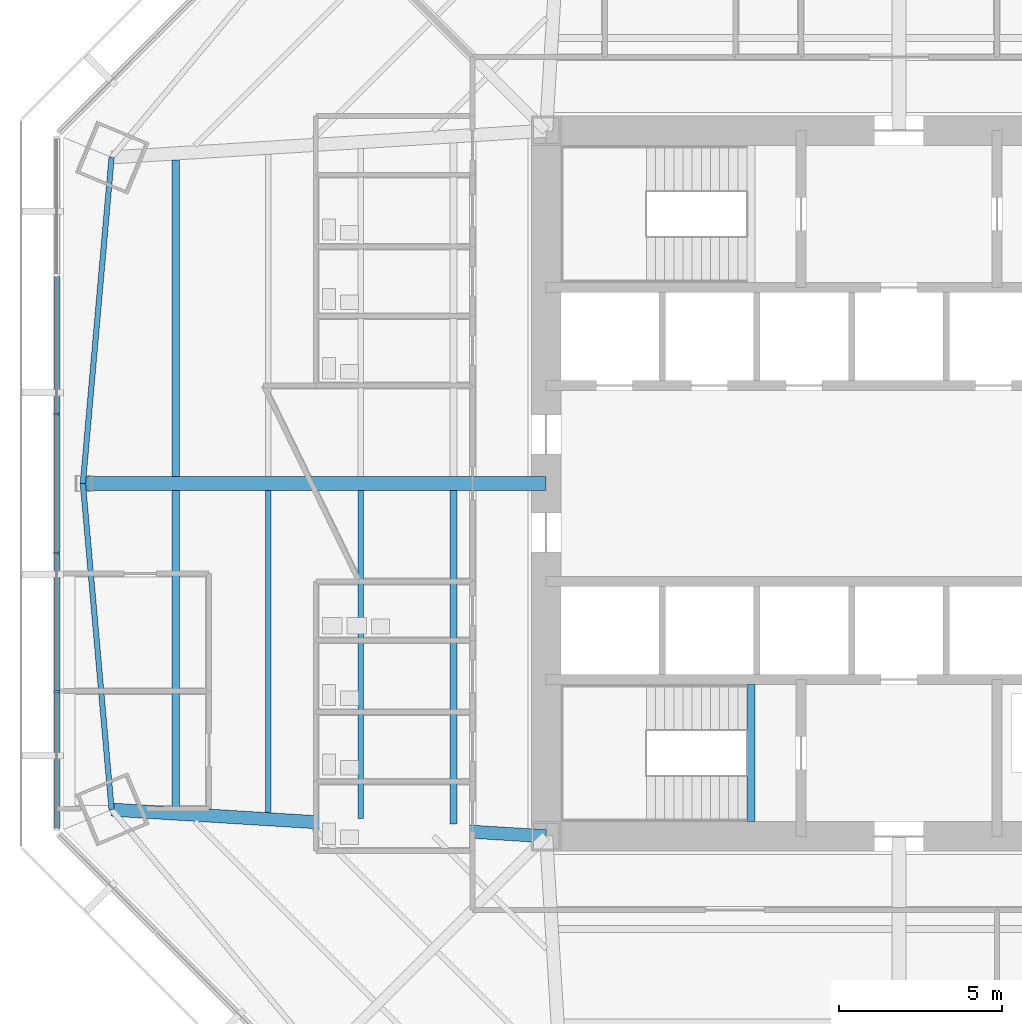
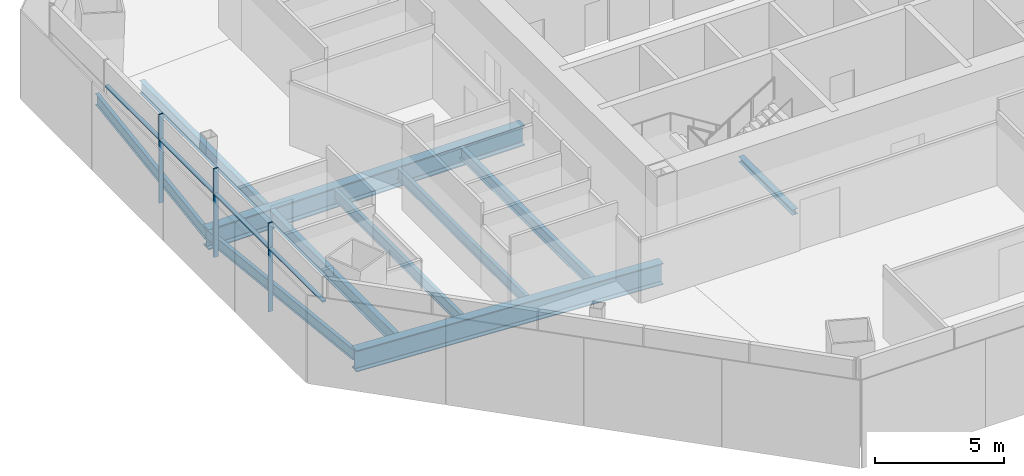
# One storey, part 3 of 16: 10 beams, 7 members, 1 element without a shape of its own.
"""IFC4 building model written with IfcOpenShell, lengths in metres."""

from ifc_helpers import new_model, si_unit, direction, frame, origin, origin_2d, place, context, subcontext, project, spatial, rectangle, i_section, extrude, source, transform, mapped, material, material_profile, profile_set, type_object, type_shapes, element, aggregate, save


model = new_model("IFC4")

# Units and contexts
model_context = context("Model", 3, precision=1e-05, world=origin(), true_north=direction((0.0, 1.0)))
body_context = subcontext(model_context, "Body", "Model", "MODEL_VIEW")
ifc_project = project(units=[si_unit("LENGTHUNIT", "METRE"), si_unit("AREAUNIT", "SQUARE_METRE"), si_unit("VOLUMEUNIT", "CUBIC_METRE"), si_unit("PLANEANGLEUNIT", "RADIAN"), si_unit("MASSUNIT", "GRAM", prefix="KILO")], contexts=[model_context])

# Site, building, storey
site_placement = place(None, origin())
site = spatial("IfcSite", under=ifc_project, at=site_placement, CompositionType="ELEMENT")
building_placement = place(site_placement, origin())
building = spatial("IfcBuilding", under=site, at=building_placement, Name="Mashrafa Tower", CompositionType="ELEMENT")
storey_placement = place(building_placement, frame((0.0, 0.0, 79.199951171875)))
storey = spatial("IfcBuildingStorey", under=building, at=storey_placement, Name="L17", CompositionType="ELEMENT", Elevation=79.199951171875)

# Beams
ifc_material_1 = material(Name="Steel ASTM A992", Category="steel")
ifc_material_profile_1 = material_profile(ifc_material_1, i_section(OverallWidth=0.165771484375, OverallDepth=0.5283203125, WebThickness=0.009765625, FlangeThickness=0.013671875, FilletRadius=0.012939453125, at=origin_2d()), Name="W21X50")
ifc_profile_set_1 = profile_set([ifc_material_profile_1], Name="Steel ASTM A992")
beam_type_1 = type_object("IfcBeamType", Name="Beam W21X50", PredefinedType="BEAM", material=ifc_profile_set_1)
beam_1_placement = place(storey_placement, frame((-19.307373046875, -10.076416015625, -0.42919921875), z_axis=(0.0, 1.0, 0.0), x_axis=(-1.0, 0.0, 0.0)))
element("IfcBeam", 1, at=beam_1_placement, inside=storey, type_object=beam_type_1, Name="Floor beam L17 004", PredefinedType="BEAM", context=body_context, shape_type="SweptSolid", body=[
    extrude(i_section(OverallWidth=0.165771484375, OverallDepth=0.5283203125, WebThickness=0.009765625, FlangeThickness=0.013671875, FilletRadius=0.012939453125, at=origin_2d()), origin(), (0.0, 0.0, 1.0), 9.8642578125),
])
beam_2_placement = place(storey_placement, frame((-16.4716796875, -10.25048828125, -0.42919921875), z_axis=(0.0, 1.0, 0.0), x_axis=(-1.0, 0.0, 0.0)))
element("IfcBeam", 2, at=beam_2_placement, inside=storey, type_object=beam_type_1, Name="Floor beam L17 007", PredefinedType="BEAM", context=body_context, shape_type="SweptSolid", body=[
    extrude(i_section(OverallWidth=0.165771484375, OverallDepth=0.5283203125, WebThickness=0.009765625, FlangeThickness=0.013671875, FilletRadius=0.012939453125, at=origin_2d()), origin(), (0.0, 0.0, 1.0), 10.038330078125),
])
for number, where, z_axis, x_axis, name in (
    (3, (-24.97900390625, 0.0, -0.42919921875), (0.087653494461, -0.996151025151, 0.0), (0.996151025151, 0.087653494461, 0.0), "Spandrel beam L17 073"),
    (4, (-24.1005859375, 9.98291015625, -0.42919921875), (-0.087653494461, -0.996151025151, 0.0), (0.996151025151, -0.087653494461, 0.0), "Spandrel beam L17 075"),
):
    element("IfcBeam", number, at=place(storey_placement, frame(where, z_axis=z_axis, x_axis=x_axis)), inside=storey, type_object=beam_type_1, Name=name, PredefinedType="BEAM", context=body_context, shape_type="SweptSolid", body=[
        extrude(i_section(OverallWidth=0.165771484375, OverallDepth=0.5283203125, WebThickness=0.009765625, FlangeThickness=0.013671875, FilletRadius=0.012939453125, at=origin_2d()), origin(), (0.0, 0.0, 1.0), 10.021484375),
    ])
ifc_material_2 = material(Name="Steel ASTM A992", Category="steel")
ifc_material_profile_2 = material_profile(ifc_material_2, i_section(OverallWidth=0.209228515625, OverallDepth=0.533447265625, WebThickness=0.01025390625, FlangeThickness=0.015625, FilletRadius=0.012939453125, at=origin_2d()), Name="W21X62")
ifc_profile_set_2 = profile_set([ifc_material_profile_2], Name="Steel ASTM A992")
beam_type_2 = type_object("IfcBeamType", Name="Beam W21X62", PredefinedType="BEAM", material=ifc_profile_set_2)
beam_3_placement = place(storey_placement, frame((-13.6357421875, -10.4248046875, -0.431640625), z_axis=(0.0, 1.0, 0.0), x_axis=(-1.0, 0.0, 0.0)))
element("IfcBeam", 5, at=beam_3_placement, inside=storey, type_object=beam_type_2, Name="Floor beam L17 014", PredefinedType="BEAM", context=body_context, shape_type="SweptSolid", body=[
    extrude(i_section(OverallWidth=0.209228515625, OverallDepth=0.533447265625, WebThickness=0.01025390625, FlangeThickness=0.015625, FilletRadius=0.012939453125, at=origin_2d()), origin(), (0.0, 0.0, 1.0), 10.212646484375),
])
ifc_material_3 = material(Name="Steel ASTM A992", Category="steel")
ifc_material_profile_3 = material_profile(ifc_material_3, i_section(OverallWidth=0.227783203125, OverallDepth=0.60205078125, WebThickness=0.010498046875, FlangeThickness=0.014892578125, FilletRadius=0.012939453125, at=origin_2d()), Name="W24X68")
ifc_profile_set_3 = profile_set([ifc_material_profile_3], Name="Steel ASTM A992")
beam_type_3 = type_object("IfcBeamType", Name="Beam W24X68", PredefinedType="BEAM", material=ifc_profile_set_3)
for number, where, z_axis, x_axis, name in (
    (6, (-22.14306640625, -9.902099609375, -0.4658203125), (0.0, 1.0, 0.0), (-1.0, 0.0, 0.0), "Floor beam L17 001"),
    (7, (-22.14306640625, 0.212158203125, -0.4658203125), (0.0, 1.0, 0.0), (-1.0, 0.0, 0.0), "Floor beam L17 002"),
):
    element("IfcBeam", number, at=place(storey_placement, frame(where, z_axis=z_axis, x_axis=x_axis)), inside=storey, type_object=beam_type_3, Name=name, PredefinedType="BEAM", context=body_context, shape_type="SweptSolid", body=[
        extrude(i_section(OverallWidth=0.227783203125, OverallDepth=0.60205078125, WebThickness=0.010498046875, FlangeThickness=0.014892578125, FilletRadius=0.012939453125, at=origin_2d()), origin(), (0.0, 0.0, 1.0), 9.68994140625),
    ])
ifc_material_4 = material(Name="Steel ASTM A992", Category="steel")
ifc_material_profile_4 = material_profile(ifc_material_4, i_section(OverallWidth=0.424072265625, OverallDepth=0.960205078125, WebThickness=0.028564453125, FlangeThickness=0.051025390625, FilletRadius=0.02001953125, at=origin_2d()), Name="W36X361")
ifc_profile_set_4 = profile_set([ifc_material_profile_4], Name="Steel ASTM A992")
beam_type_4 = type_object("IfcBeamType", Name="Beam W36X361", PredefinedType="BEAM", material=ifc_profile_set_4)
beam_4_placement = place(storey_placement, frame((-10.800048828125, 0.0, -0.64501953125), z_axis=(-1.0, 0.0, 0.0), x_axis=(0.0, -1.0, 0.0)))
element("IfcBeam", 8, at=beam_4_placement, inside=storey, type_object=beam_type_4, Name="Radial girder L17 060", PredefinedType="BEAM", context=body_context, shape_type="SweptSolid", body=[
    extrude(i_section(OverallWidth=0.424072265625, OverallDepth=0.960205078125, WebThickness=0.028564453125, FlangeThickness=0.051025390625, FilletRadius=0.02001953125, at=origin_2d()), origin(), (0.0, 0.0, 1.0), 14.178955078125),
])
ifc_material_5 = material(Name="Steel ASTM A992", Category="steel")
ifc_material_profile_5 = material_profile(ifc_material_5, i_section(OverallWidth=0.4013671875, OverallDepth=1.010986328125, WebThickness=0.023681640625, FlangeThickness=0.0419921875, FilletRadius=0.02001953125, at=origin_2d()), Name="W40X297")
ifc_profile_set_5 = profile_set([ifc_material_profile_5], Name="Steel ASTM A992")
beam_type_5 = type_object("IfcBeamType", Name="Beam W40X297", PredefinedType="BEAM", material=ifc_profile_set_5)
beam_5_placement = place(storey_placement, frame((-10.800048828125, -10.800048828125, -0.67041015625), z_axis=(-0.998118102867, 0.061320899618, 0.0), x_axis=(-0.061320899618, -0.998118102867, 0.0)))
element("IfcBeam", 9, at=beam_5_placement, inside=storey, type_object=beam_type_5, Name="Radial girder L17 057", PredefinedType="BEAM", context=body_context, shape_type="SweptSolid", body=[
    extrude(i_section(OverallWidth=0.4013671875, OverallDepth=1.010986328125, WebThickness=0.023681640625, FlangeThickness=0.0419921875, FilletRadius=0.02001953125, at=origin_2d()), origin(), (0.0, 0.0, 1.0), 13.32568359375),
])
ifc_material_6 = material(Name="Steel ASTM A992", Category="steel")
ifc_material_profile_6 = material_profile(ifc_material_6, i_section(OverallWidth=0.25390625, OverallDepth=0.25390625, WebThickness=0.008544921875, FlangeThickness=0.01416015625, FilletRadius=0.010009765625, at=origin_2d()), Name="W10X49")
ifc_profile_set_6 = profile_set([ifc_material_profile_6], Name="Steel ASTM A992")
beam_type_6 = type_object("IfcBeamType", Name="Hoistway beam W10X49", PredefinedType="BEAM", material=ifc_profile_set_6)
beam_6_placement = place(storey_placement, frame((-4.530029296875, -10.35009765625, -0.326904296875), z_axis=(0.0, 1.0, 0.0), x_axis=(-1.0, 0.0, 0.0)))
element("IfcBeam", 10, at=beam_6_placement, inside=storey, type_object=beam_type_6, Name="Stair S3 landing beam L17", PredefinedType="BEAM", context=body_context, shape_type="SweptSolid", body=[
    extrude(i_section(OverallWidth=0.25390625, OverallDepth=0.25390625, WebThickness=0.008544921875, FlangeThickness=0.01416015625, FilletRadius=0.010009765625, at=origin_2d()), origin(), (0.0, 0.0, 1.0), 4.2001953125),
])

# Curtain wall, members
ifc_material_7 = material(Name="Unitised aluminium curtain wall", Category="aluminium")
curtain_wall_type = type_object("IfcCurtainWallType", Name="Office curtain wall, zone 1 CW-A 200 deep", PredefinedType="NOTDEFINED", material=ifc_material_7)
curtain_wall_placement = place(storey_placement, origin())
curtain_wall = element("IfcCurtainWall", 11, at=curtain_wall_placement, inside=storey, type_object=curtain_wall_type, Name="Office curtain wall, zone 1 L17 west", PredefinedType="NOTDEFINED")
ifc_material_8 = material(Name="Extruded aluminium mullion", Category="aluminium")
ifc_material_profile_7 = material_profile(ifc_material_8, rectangle(XDim=0.199951171875, YDim=0.06494140625, at=origin_2d()), Name="Mullion 65x200")
ifc_profile_set_7 = profile_set([ifc_material_profile_7], Name="Extruded aluminium mullion")
member_type_1 = type_object("IfcMemberType", Name="Mullion CW-A 65 x 200", PredefinedType="MULLION", material=ifc_profile_set_7)
shared_shape_1 = source(origin(), body_context, "Body", "SweptSolid", [
    extrude(rectangle(XDim=0.199951171875, YDim=0.06494140625, at=origin_2d()), origin(), (0.0, 0.0, 1.0), 4.199951171875),
])
type_shapes(member_type_1, [shared_shape_1])
member_1_placement = place(storey_placement, frame((-25.774169921875, 2.125, 0.0), z_axis=(0.0, 0.0, 1.0), x_axis=(1.0, 0.0, 0.0)))
member_1 = element("IfcMember", 12, at=member_1_placement, type_object=member_type_1, Name="CW-A mullion 3", PredefinedType="MULLION", context=body_context, shape_type="MappedRepresentation", body=[
    mapped(shared_shape_1, transform((0.0, 0.0, 0.0))),
])
member_2_placement = place(storey_placement, frame((-25.774169921875, -2.125, 0.0), z_axis=(0.0, 0.0, 1.0), x_axis=(1.0, 0.0, 0.0)))
member_2 = element("IfcMember", 13, at=member_2_placement, type_object=member_type_1, Name="CW-A mullion 4", PredefinedType="MULLION", context=body_context, shape_type="MappedRepresentation", body=[
    mapped(shared_shape_1, transform((0.0, 0.0, 0.0))),
])
member_3_placement = place(storey_placement, frame((-25.774169921875, -6.374755859375, 0.0), z_axis=(0.0, 0.0, 1.0), x_axis=(1.0, 0.0, 0.0)))
member_3 = element("IfcMember", 14, at=member_3_placement, type_object=member_type_1, Name="CW-A mullion 5", PredefinedType="MULLION", context=body_context, shape_type="MappedRepresentation", body=[
    mapped(shared_shape_1, transform((0.0, 0.0, 0.0))),
])
ifc_material_9 = material(Name="Extruded aluminium transom", Category="aluminium")
ifc_material_profile_8 = material_profile(ifc_material_9, rectangle(XDim=0.159912109375, YDim=0.080078125, at=origin_2d()), Name="Transom 80x160")
ifc_profile_set_8 = profile_set([ifc_material_profile_8], Name="Extruded aluminium transom")
member_type_2 = type_object("IfcMemberType", Name="Transom CW-A 80 x 160", PredefinedType="MULLION", material=ifc_profile_set_8)
shared_shape_2 = source(origin(), body_context, "Body", "SweptSolid", [
    extrude(rectangle(XDim=0.159912109375, YDim=0.080078125, at=origin_2d()), origin(), (0.0, 0.0, 1.0), 4.15234375),
])
member_4_placement = place(storey_placement, frame((-25.774169921875, -6.4072265625, 3.0), z_axis=(0.0, -1.0, 0.0), x_axis=(1.0, 0.0, 0.0)))
member_4 = element("IfcMember", 15, at=member_4_placement, type_object=member_type_2, Name="CW-A transom 5", PredefinedType="MULLION", context=body_context, shape_type="MappedRepresentation", body=[
    mapped(shared_shape_2, transform((0.0, 0.0, 0.0))),
])
shared_shape_3 = source(origin(), body_context, "Body", "SweptSolid", [
    extrude(rectangle(XDim=0.159912109375, YDim=0.080078125, at=origin_2d()), origin(), (0.0, 0.0, 1.0), 4.184814453125),
])
member_5_placement = place(storey_placement, frame((-25.774169921875, 6.34228515625, 3.0), z_axis=(0.0, -1.0, 0.0), x_axis=(1.0, 0.0, 0.0)))
member_5 = element("IfcMember", 16, at=member_5_placement, type_object=member_type_2, Name="CW-A transom 2", PredefinedType="MULLION", context=body_context, shape_type="MappedRepresentation", body=[
    mapped(shared_shape_3, transform((0.0, 0.0, 0.0))),
])
member_6_placement = place(storey_placement, frame((-25.774169921875, -2.157470703125, 3.0), z_axis=(0.0, -1.0, 0.0), x_axis=(1.0, 0.0, 0.0)))
member_6 = element("IfcMember", 17, at=member_6_placement, type_object=member_type_2, Name="CW-A transom 4", PredefinedType="MULLION", context=body_context, shape_type="MappedRepresentation", body=[
    mapped(shared_shape_3, transform((0.0, 0.0, 0.0))),
])
shared_shape_4 = source(origin(), body_context, "Body", "SweptSolid", [
    extrude(rectangle(XDim=0.159912109375, YDim=0.080078125, at=origin_2d()), origin(), (0.0, 0.0, 1.0), 4.18505859375),
])
type_shapes(member_type_2, [shared_shape_2, shared_shape_3, shared_shape_4])
member_7_placement = place(storey_placement, frame((-25.774169921875, 2.092529296875, 3.0), z_axis=(0.0, -1.0, 0.0), x_axis=(1.0, 0.0, 0.0)))
member_7 = element("IfcMember", 18, at=member_7_placement, type_object=member_type_2, Name="CW-A transom 3", PredefinedType="MULLION", context=body_context, shape_type="MappedRepresentation", body=[
    mapped(shared_shape_4, transform((0.0, 0.0, 0.0))),
])
aggregate(curtain_wall, [member_1, member_2, member_3, member_5, member_7, member_6, member_4])

save(model, "model.ifc")
